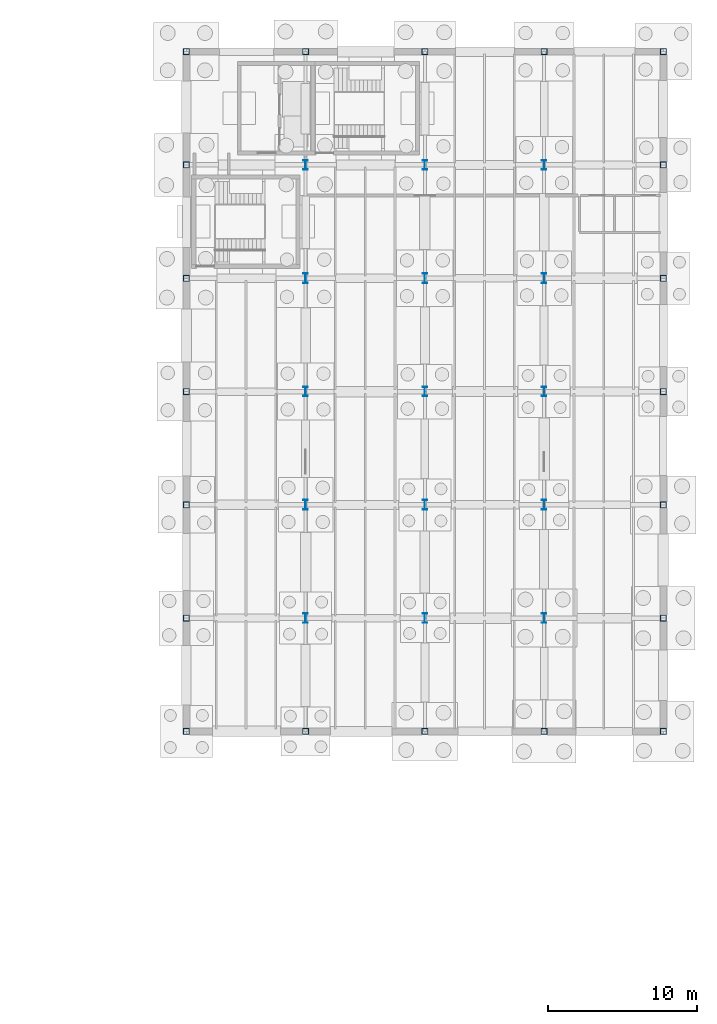
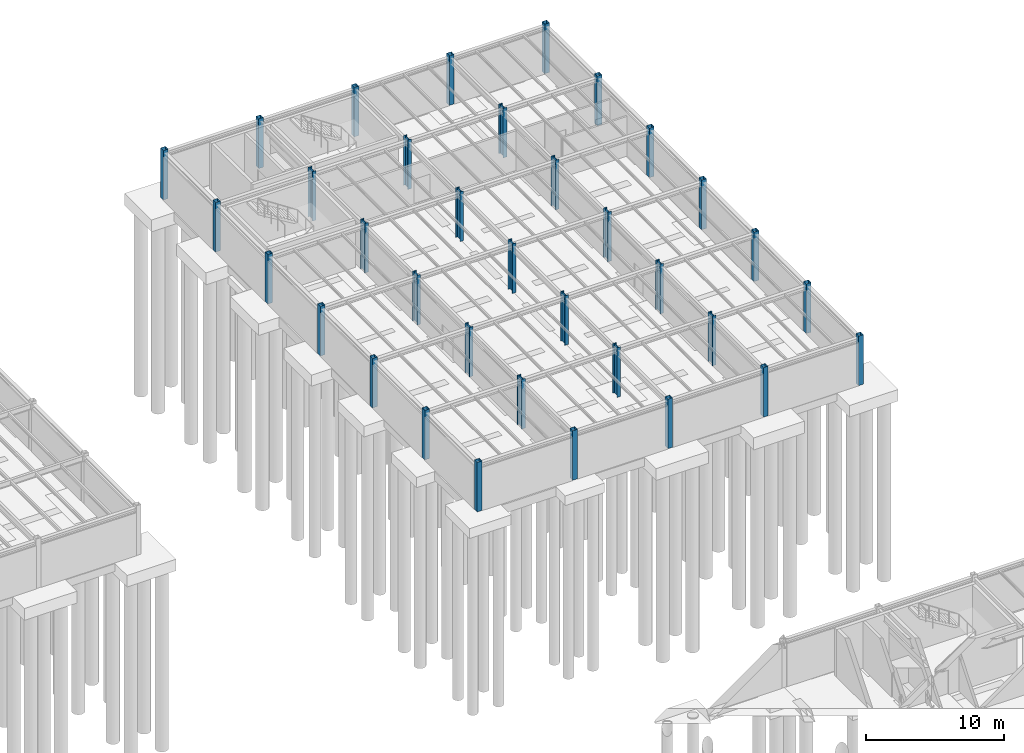
# One storey, part 18 of 33: 35 columns.
"""IFC4 building model written with IfcOpenShell, lengths in metres."""

from ifc_helpers import new_model, si_unit, direction, frame, origin, origin_2d, place, context, subcontext, project, spatial, hollow_rectangle, i_section, extrude, material, material_profile, profile_set, type_object, element, save


model = new_model("IFC4")

# Units and contexts
model_context = context("Model", 3, precision=1e-05, world=origin(), true_north=direction((0.0, 1.0)))
body_context = subcontext(model_context, "Body", "Model", "MODEL_VIEW")
ifc_project = project(units=[si_unit("LENGTHUNIT", "METRE"), si_unit("AREAUNIT", "SQUARE_METRE"), si_unit("VOLUMEUNIT", "CUBIC_METRE"), si_unit("PLANEANGLEUNIT", "RADIAN"), si_unit("MASSUNIT", "GRAM", prefix="KILO")], contexts=[model_context])

# Site, building, storey
site_placement = place(None, origin())
site = spatial("IfcSite", under=ifc_project, at=site_placement, CompositionType="ELEMENT")
building_placement = place(site_placement, origin())
building = spatial("IfcBuilding", under=site, at=building_placement, Name="Montecoro Central Library", CompositionType="ELEMENT")
storey_placement = place(building_placement, frame((0.0, 0.0, -4.419921875)))
storey = spatial("IfcBuildingStorey", under=building, at=storey_placement, Name="B1", CompositionType="ELEMENT", Elevation=-4.419921875)

# Columns
ifc_material = material(Name="Steel S355J2", Category="steel")
ifc_material_profile_1 = material_profile(ifc_material, i_section(OverallWidth=0.300048828125, OverallDepth=0.64990234375, WebThickness=0.01611328125, FlangeThickness=0.031005859375, at=origin_2d()), Name="HEB 650")
ifc_profile_set_1 = profile_set([ifc_material_profile_1], Name="Steel S355J2")
column_type_1 = type_object("IfcColumnType", Name="COL-HEB650", PredefinedType="COLUMN", material=ifc_profile_set_1)
for number, where, z_axis, x_axis, name in (
    (1, (149.0, 81.0, 0.0), (0.0, 0.0, 1.0), (1.0, 0.0, 0.0), "V5-B1-COL-19-L"),
    (2, (149.0, 88.60009765625, 0.0), (0.0, 0.0, 1.0), (1.0, 0.0, 0.0), "V5-B1-COL-19-M"),
    (3, (149.0, 96.199951171875, 0.0), (0.0, 0.0, 1.0), (1.0, 0.0, 0.0), "V5-B1-COL-19-N"),
    (4, (149.0, 103.800048828125, 0.0), (0.0, 0.0, 1.0), (1.0, 0.0, 0.0), "V5-B1-COL-19-P"),
    (5, (149.0, 111.39990234375, 0.0), (0.0, 0.0, 1.0), (1.0, 0.0, 0.0), "V5-B1-COL-19-Q"),
    (6, (157.0, 81.0, 0.0), (0.0, 0.0, 1.0), (1.0, 0.0, 0.0), "V5-B1-COL-20-L"),
    (7, (157.0, 88.60009765625, 0.0), (0.0, 0.0, 1.0), (1.0, 0.0, 0.0), "V5-B1-COL-20-M"),
    (8, (157.0, 96.199951171875, 0.0), (0.0, 0.0, 1.0), (1.0, 0.0, 0.0), "V5-B1-COL-20-N"),
    (9, (157.0, 103.800048828125, 0.0), (0.0, 0.0, 1.0), (1.0, 0.0, 0.0), "V5-B1-COL-20-P"),
    (10, (157.0, 111.39990234375, 0.0), (0.0, 0.0, 1.0), (1.0, 0.0, 0.0), "V5-B1-COL-20-Q"),
    (11, (165.0, 81.0, 0.0), (0.0, 0.0, 1.0), (1.0, 0.0, 0.0), "V5-B1-COL-21-L"),
    (12, (165.0, 88.60009765625, 0.0), (0.0, 0.0, 1.0), (1.0, 0.0, 0.0), "V5-B1-COL-21-M"),
    (13, (165.0, 96.199951171875, 0.0), (0.0, 0.0, 1.0), (1.0, 0.0, 0.0), "V5-B1-COL-21-N"),
    (14, (165.0, 103.800048828125, 0.0), (0.0, 0.0, 1.0), (1.0, 0.0, 0.0), "V5-B1-COL-21-P"),
    (15, (165.0, 111.39990234375, 0.0), (0.0, 0.0, 1.0), (1.0, 0.0, 0.0), "V5-B1-COL-21-Q"),
):
    element("IfcColumn", number, at=place(storey_placement, frame(where, z_axis=z_axis, x_axis=x_axis)), inside=storey, type_object=column_type_1, Name=name, PredefinedType="COLUMN", context=body_context, shape_type="SweptSolid", body=[
        extrude(i_section(OverallWidth=0.300048828125, OverallDepth=0.64990234375, WebThickness=0.01611328125, FlangeThickness=0.031005859375, at=origin_2d()), origin(), (0.0, 0.0, 1.0), 4.39501953125),
    ])
ifc_material_profile_2 = material_profile(ifc_material, hollow_rectangle(XDim=0.39990234375, YDim=0.39990234375, WallThickness=0.01611328125, at=origin_2d()), Name="SHS 400x400x16.0")
ifc_profile_set_2 = profile_set([ifc_material_profile_2], Name="Steel S355J2")
column_type_2 = type_object("IfcColumnType", Name="COL-SHS400", PredefinedType="COLUMN", material=ifc_profile_set_2)
for number, where, z_axis, x_axis, name in (
    (16, (141.0, 73.39990234375, 0.0), (0.0, 0.0, 1.0), (1.0, 0.0, 0.0), "V5-B1-COL-18-K"),
    (17, (141.0, 81.0, 0.0), (0.0, 0.0, 1.0), (1.0, 0.0, 0.0), "V5-B1-COL-18-L"),
    (18, (141.0, 88.60009765625, 0.0), (0.0, 0.0, 1.0), (1.0, 0.0, 0.0), "V5-B1-COL-18-M"),
    (19, (141.0, 96.199951171875, 0.0), (0.0, 0.0, 1.0), (1.0, 0.0, 0.0), "V5-B1-COL-18-N"),
    (20, (141.0, 103.800048828125, 0.0), (0.0, 0.0, 1.0), (1.0, 0.0, 0.0), "V5-B1-COL-18-P"),
    (21, (141.0, 111.39990234375, 0.0), (0.0, 0.0, 1.0), (1.0, 0.0, 0.0), "V5-B1-COL-18-Q"),
    (22, (141.0, 119.0, 0.0), (0.0, 0.0, 1.0), (1.0, 0.0, 0.0), "V5-B1-COL-18-R"),
    (23, (149.0, 73.39990234375, 0.0), (0.0, 0.0, 1.0), (1.0, 0.0, 0.0), "V5-B1-COL-19-K"),
    (24, (149.0, 119.0, 0.0), (0.0, 0.0, 1.0), (1.0, 0.0, 0.0), "V5-B1-COL-19-R"),
    (25, (157.0, 73.39990234375, 0.0), (0.0, 0.0, 1.0), (1.0, 0.0, 0.0), "V5-B1-COL-20-K"),
    (26, (157.0, 119.0, 0.0), (0.0, 0.0, 1.0), (1.0, 0.0, 0.0), "V5-B1-COL-20-R"),
    (27, (165.0, 73.39990234375, 0.0), (0.0, 0.0, 1.0), (1.0, 0.0, 0.0), "V5-B1-COL-21-K"),
    (28, (165.0, 119.0, 0.0), (0.0, 0.0, 1.0), (1.0, 0.0, 0.0), "V5-B1-COL-21-R"),
    (29, (173.0, 73.39990234375, 0.0), (0.0, 0.0, 1.0), (1.0, 0.0, 0.0), "V5-B1-COL-22-K"),
    (30, (173.0, 81.0, 0.0), (0.0, 0.0, 1.0), (1.0, 0.0, 0.0), "V5-B1-COL-22-L"),
    (31, (173.0, 88.60009765625, 0.0), (0.0, 0.0, 1.0), (1.0, 0.0, 0.0), "V5-B1-COL-22-M"),
    (32, (173.0, 96.199951171875, 0.0), (0.0, 0.0, 1.0), (1.0, 0.0, 0.0), "V5-B1-COL-22-N"),
    (33, (173.0, 103.800048828125, 0.0), (0.0, 0.0, 1.0), (1.0, 0.0, 0.0), "V5-B1-COL-22-P"),
    (34, (173.0, 111.39990234375, 0.0), (0.0, 0.0, 1.0), (1.0, 0.0, 0.0), "V5-B1-COL-22-Q"),
    (35, (173.0, 119.0, 0.0), (0.0, 0.0, 1.0), (1.0, 0.0, 0.0), "V5-B1-COL-22-R"),
):
    element("IfcColumn", number, at=place(storey_placement, frame(where, z_axis=z_axis, x_axis=x_axis)), inside=storey, type_object=column_type_2, Name=name, PredefinedType="COLUMN", context=body_context, shape_type="SweptSolid", body=[
        extrude(hollow_rectangle(XDim=0.39990234375, YDim=0.39990234375, WallThickness=0.01611328125, at=origin_2d()), origin(), (0.0, 0.0, 1.0), 4.39501953125),
    ])

save(model, "model.ifc")
